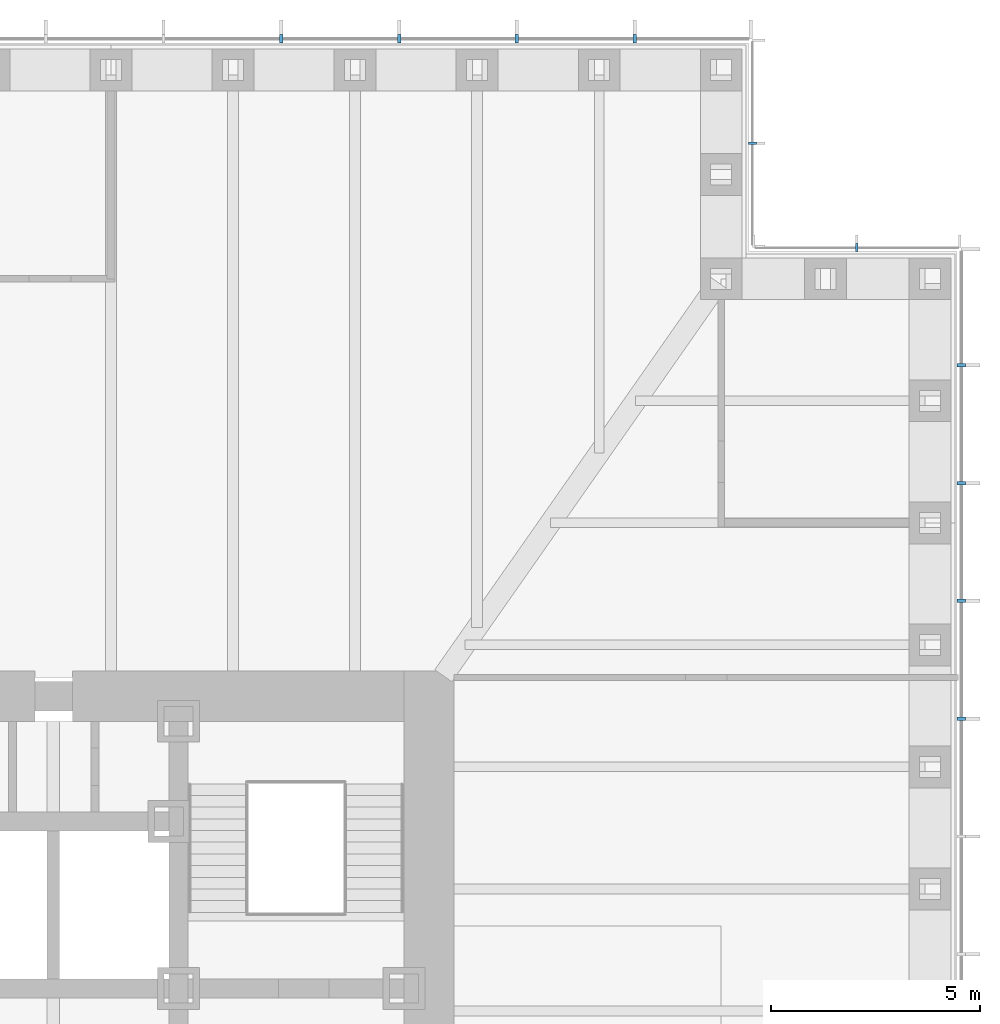
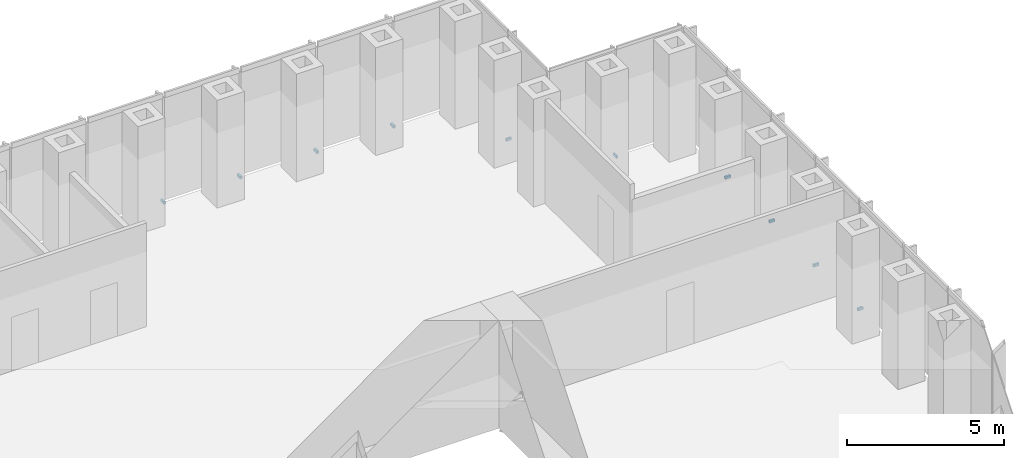
# One storey, part 15 of 16: 10 discrete accessories.
"""IFC4 building model written with IfcOpenShell, lengths in metres."""

from ifc_helpers import new_model, si_unit, direction, frame, origin, origin_2d, place, context, subcontext, project, spatial, rectangle, extrude, element, save


model = new_model("IFC4")

# Units and contexts
model_context = context("Model", 3, precision=1e-05, world=origin(), true_north=direction((0.0, 1.0)))
body_context = subcontext(model_context, "Body", "Model", "MODEL_VIEW")
ifc_project = project(units=[si_unit("LENGTHUNIT", "METRE"), si_unit("AREAUNIT", "SQUARE_METRE"), si_unit("VOLUMEUNIT", "CUBIC_METRE"), si_unit("PLANEANGLEUNIT", "RADIAN"), si_unit("MASSUNIT", "GRAM", prefix="KILO")], contexts=[model_context])

# Site, building, storey
site_placement = place(None, origin())
site = spatial("IfcSite", under=ifc_project, at=site_placement, CompositionType="ELEMENT")
building_placement = place(site_placement, origin())
building = spatial("IfcBuilding", under=site, at=building_placement, Name="Daluyong Arena Tower", CompositionType="ELEMENT")
storey_placement = place(building_placement, frame((0.0, 0.0, 43.300048828125)))
storey = spatial("IfcBuildingStorey", under=building, at=storey_placement, Name="L08", CompositionType="ELEMENT", Elevation=43.300048828125)

# Discrete accessories
for number, where, z_axis, x_axis, name in (
    (1, (80.75, 88.46435546875, -0.10009765625), (0.0, 0.0, 1.0), (0.0, 1.0, 0.0), "curtain wall L08 E anchor bracket 11"),
    (2, (80.75, 91.28564453125, -0.10009765625), (0.0, 0.0, 1.0), (0.0, 1.0, 0.0), "curtain wall L08 E anchor bracket 12"),
    (3, (80.75, 94.107177734375, -0.10009765625), (0.0, 0.0, 1.0), (0.0, 1.0, 0.0), "curtain wall L08 E anchor bracket 13"),
    (4, (80.75, 96.928466796875, -0.10009765625), (0.0, 0.0, 1.0), (0.0, 1.0, 0.0), "curtain wall L08 E anchor bracket 14"),
):
    element("IfcDiscreteAccessory", number, at=place(storey_placement, frame(where, z_axis=z_axis, x_axis=x_axis)), inside=storey, Name=name, PredefinedType="BRACKET", context=body_context, shape_type="SweptSolid", body=[
        extrude(rectangle(XDim=0.080078125, YDim=0.199951171875, at=origin_2d()), origin(), (0.0, 0.0, 1.0), 0.10009765625),
    ])
for number, where, z_axis, x_axis, name in (
    (5, (78.25, 99.75, -0.10009765625), (0.0, 0.0, 1.0), (-1.0, 0.0, 0.0), "curtain wall L08 NE-N anchor bracket 2"),
    (6, (75.75, 102.25, -0.10009765625), (0.0, 0.0, 1.0), (0.0, 1.0, 0.0), "curtain wall L08 NE-E anchor bracket 2"),
):
    element("IfcDiscreteAccessory", number, at=place(storey_placement, frame(where, z_axis=z_axis, x_axis=x_axis)), inside=storey, Name=name, PredefinedType="BRACKET", context=body_context, shape_type="SweptSolid", body=[
        extrude(rectangle(XDim=0.06005859375, YDim=0.199951171875, at=origin_2d()), origin(), (0.0, 0.0, 1.0), 0.10009765625),
    ])
for number, where, z_axis, x_axis, name in (
    (7, (72.928466796875, 104.75, -0.10009765625), (0.0, 0.0, 1.0), (-1.0, 0.0, 0.0), "curtain wall L08 N anchor bracket 2"),
    (8, (70.107177734375, 104.75, -0.10009765625), (0.0, 0.0, 1.0), (-1.0, 0.0, 0.0), "curtain wall L08 N anchor bracket 3"),
    (9, (67.28564453125, 104.75, -0.10009765625), (0.0, 0.0, 1.0), (-1.0, 0.0, 0.0), "curtain wall L08 N anchor bracket 4"),
    (10, (64.46435546875, 104.75, -0.10009765625), (0.0, 0.0, 1.0), (-1.0, 0.0, 0.0), "curtain wall L08 N anchor bracket 5"),
):
    element("IfcDiscreteAccessory", number, at=place(storey_placement, frame(where, z_axis=z_axis, x_axis=x_axis)), inside=storey, Name=name, PredefinedType="BRACKET", context=body_context, shape_type="SweptSolid", body=[
        extrude(rectangle(XDim=0.080078125, YDim=0.199951171875, at=origin_2d()), origin(), (0.0, 0.0, 1.0), 0.10009765625),
    ])

save(model, "model.ifc")
